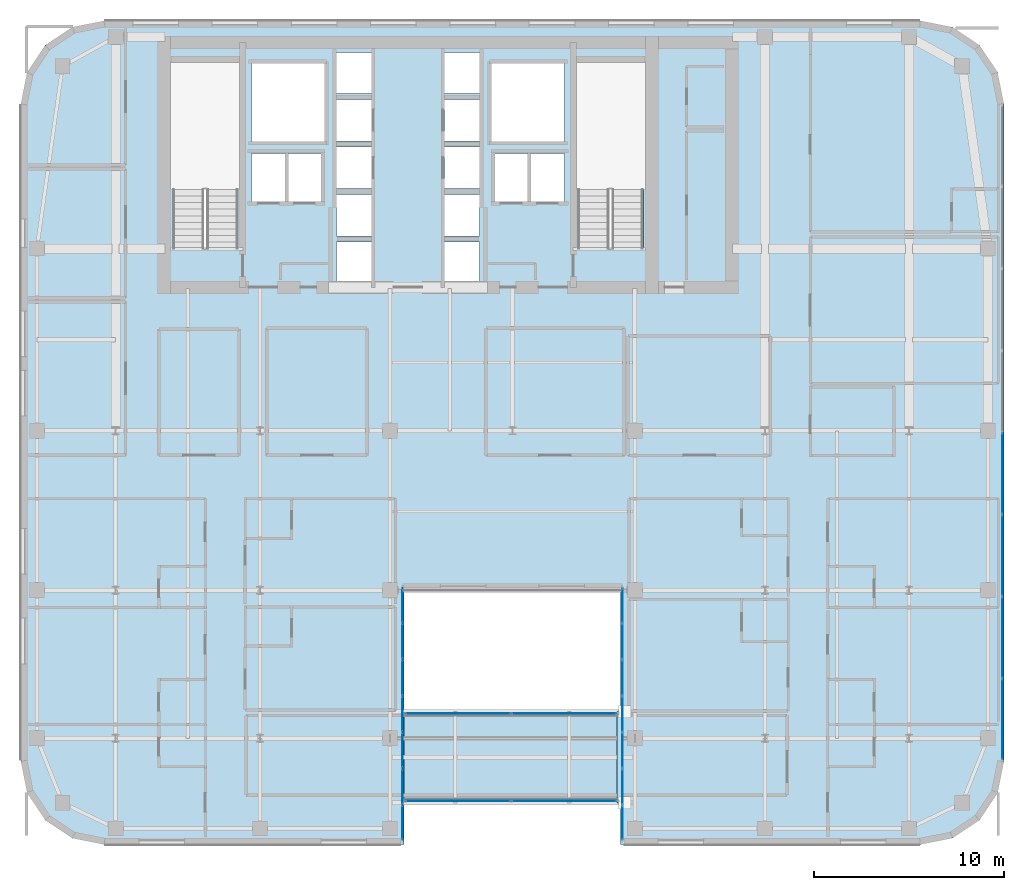
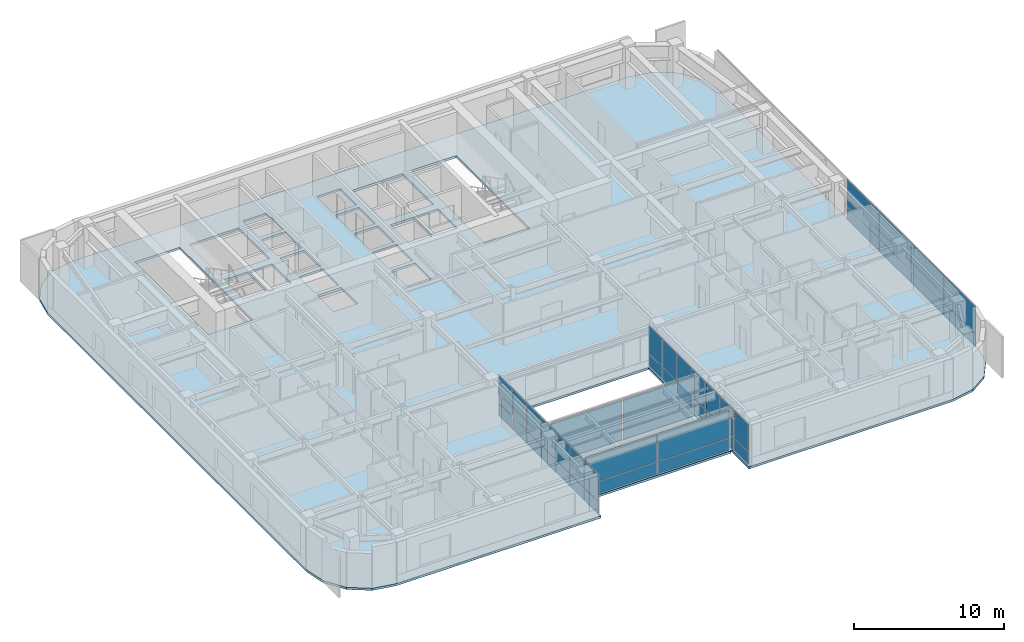
# One storey, part 13 of 26: 45 plates, 2 slabs, 5 elements without a shape of their own.
"""IFC4 building model written with IfcOpenShell, lengths in metres."""

from ifc_helpers import new_model, si_unit, direction, frame, origin, origin_2d, place, context, subcontext, project, spatial, polyline, rectangle, outline, extrude, source, transform, mapped, material, layer, layer_set, type_object, type_shapes, element, aggregate, save


model = new_model("IFC4")

# Units and contexts
model_context = context("Model", 3, precision=1e-05, world=origin(), true_north=direction((0.0, 1.0)))
body_context = subcontext(model_context, "Body", "Model", "MODEL_VIEW")
ifc_project = project(units=[si_unit("LENGTHUNIT", "METRE"), si_unit("AREAUNIT", "SQUARE_METRE"), si_unit("VOLUMEUNIT", "CUBIC_METRE"), si_unit("PLANEANGLEUNIT", "RADIAN"), si_unit("MASSUNIT", "GRAM", prefix="KILO")], contexts=[model_context])

# Site, building, storey
site_placement = place(None, origin())
site = spatial("IfcSite", under=ifc_project, at=site_placement, CompositionType="ELEMENT")
building_placement = place(site_placement, origin())
building = spatial("IfcBuilding", under=site, at=building_placement, Name="Tolvann Quenvar Hotel", CompositionType="ELEMENT")
storey_placement = place(building_placement, frame((0.0, 0.0, 168.35009765625)))
storey = spatial("IfcBuildingStorey", under=building, at=storey_placement, Name="L44", CompositionType="ELEMENT", Elevation=168.35009765625)

# Slabs
ifc_material_1 = material(Name="Concrete N40 (40 MPa)", Category="concrete")
ifc_layer_1 = layer(ifc_material_1, 0.179931640625)
ifc_layer_set_1 = layer_set([ifc_layer_1], Name="Concrete N40 (40 MPa)")
slab_type = type_object("IfcSlabType", Name="SLAB_TWR_180", PredefinedType="FLOOR", material=ifc_layer_set_1)
slab_1_placement = place(storey_placement, frame((0.0, 0.0, -0.18017578125)))
element("IfcSlab", 1, at=slab_1_placement, inside=storey, type_object=slab_type, Name="Level L44 Structural Floor Slab", PredefinedType="FLOOR", context=body_context, shape_type="SweptSolid", body=[
    extrude(outline(polyline([(2.60009765625, 7.0), (2.934814453125, 5.316162109375), (3.888671875, 3.888671875), (5.316162109375, 2.934814453125), (7.0, 2.60009765625), (22.800048828125, 2.60009765625), (22.800048828125, 16.0), (34.199951171875, 16.0), (34.199951171875, 2.60009765625), (50.0, 2.60009765625), (51.683837890625, 2.934814453125), (53.111328125, 3.888671875), (54.065185546875, 5.316162109375), (54.39990234375, 7.0), (54.39990234375, 41.60009765625), (54.065185546875, 43.28369140625), (53.111328125, 44.711181640625), (51.683837890625, 45.6650390625), (50.0, 46.0), (7.0, 46.0), (5.316162109375, 45.6650390625), (3.888671875, 44.711181640625), (2.934814453125, 43.28369140625), (2.60009765625, 41.60009765625), (2.60009765625, 7.0)]), holes=[polyline([(31.949951171875, 34.02490234375), (31.949951171875, 43.800048828125), (35.39990234375, 43.800048828125), (35.39990234375, 34.02490234375), (31.949951171875, 34.02490234375)]), polyline([(29.449951171875, 39.02001953125), (31.25, 39.02001953125), (31.25, 36.47998046875), (29.449951171875, 36.47998046875), (29.449951171875, 39.02001953125)]), polyline([(31.25, 43.75), (31.25, 39.64990234375), (27.39990234375, 39.64990234375), (27.39990234375, 43.75), (31.25, 43.75)]), polyline([(27.574951171875, 39.02001953125), (29.324951171875, 39.02001953125), (29.324951171875, 36.47998046875), (27.574951171875, 36.47998046875), (27.574951171875, 39.02001953125)]), polyline([(26.77001953125, 44.340087890625), (26.77001953125, 42.159912109375), (24.929931640625, 42.159912109375), (24.929931640625, 44.340087890625), (26.77001953125, 44.340087890625)]), polyline([(24.929931640625, 41.840087890625), (26.77001953125, 41.840087890625), (26.77001953125, 39.659912109375), (24.929931640625, 39.659912109375), (24.929931640625, 41.840087890625)]), polyline([(24.929931640625, 39.340087890625), (26.77001953125, 39.340087890625), (26.77001953125, 37.159912109375), (24.929931640625, 37.159912109375), (24.929931640625, 39.340087890625)]), polyline([(24.929931640625, 36.840087890625), (26.77001953125, 36.840087890625), (26.77001953125, 34.659912109375), (24.929931640625, 34.659912109375), (24.929931640625, 36.840087890625)]), polyline([(24.929931640625, 34.340087890625), (26.77001953125, 34.340087890625), (26.77001953125, 32.159912109375), (24.929931640625, 32.159912109375), (24.929931640625, 34.340087890625)]), polyline([(21.070068359375, 44.340087890625), (21.070068359375, 42.159912109375), (19.22998046875, 42.159912109375), (19.22998046875, 44.340087890625), (21.070068359375, 44.340087890625)]), polyline([(19.22998046875, 41.840087890625), (21.070068359375, 41.840087890625), (21.070068359375, 39.659912109375), (19.22998046875, 39.659912109375), (19.22998046875, 41.840087890625)]), polyline([(19.22998046875, 39.340087890625), (21.070068359375, 39.340087890625), (21.070068359375, 37.159912109375), (19.22998046875, 37.159912109375), (19.22998046875, 39.340087890625)]), polyline([(19.22998046875, 36.840087890625), (21.070068359375, 36.840087890625), (21.070068359375, 34.659912109375), (19.22998046875, 34.659912109375), (19.22998046875, 36.840087890625)]), polyline([(19.22998046875, 34.340087890625), (21.070068359375, 34.340087890625), (21.070068359375, 32.159912109375), (19.22998046875, 32.159912109375), (19.22998046875, 34.340087890625)]), polyline([(18.60009765625, 43.75), (18.60009765625, 39.64990234375), (14.75, 39.64990234375), (14.75, 43.75), (18.60009765625, 43.75)]), polyline([(16.675048828125, 39.02001953125), (18.425048828125, 39.02001953125), (18.425048828125, 36.47998046875), (16.675048828125, 36.47998046875), (16.675048828125, 39.02001953125)]), polyline([(14.75, 39.02001953125), (16.550048828125, 39.02001953125), (16.550048828125, 36.47998046875), (14.75, 36.47998046875), (14.75, 39.02001953125)]), polyline([(10.60009765625, 34.02490234375), (10.60009765625, 43.800048828125), (14.050048828125, 43.800048828125), (14.050048828125, 34.02490234375), (10.60009765625, 34.02490234375)])]), origin(), (0.0, 0.0, 1.0), 0.18017578125),
])
slab_2_placement = place(storey_placement, frame((0.0, 0.0, -0.18017578125)))
element("IfcSlab", 2, at=slab_2_placement, inside=storey, type_object=slab_type, Name="Level L44 Skybridge Deck Slab", PredefinedType="FLOOR", context=body_context, shape_type="SweptSolid", body=[
    extrude(outline(polyline([(22.800048828125, 4.800048828125), (34.080078125, 4.800048828125), (34.080078125, 9.60009765625), (22.800048828125, 9.60009765625), (22.800048828125, 4.800048828125)])), origin(), (0.0, 0.0, 1.0), 0.18017578125),
])

# Plate
ifc_material_2 = material(Name="Steel Grade 350", Category="steel")
ifc_layer_2 = layer(ifc_material_2, 0.02490234375)
ifc_layer_set_2 = layer_set([ifc_layer_2], Name="Steel Grade 350")
plate_type_1 = type_object("IfcPlateType", Name="PLT_MJ_4800", PredefinedType="SHEET", material=ifc_layer_set_2)
shared_shape_1 = source(origin(), body_context, "Body", "SweptSolid", [
    extrude(rectangle(XDim=0.239990234375, YDim=4.800048828125, at=origin_2d()), origin(), (0.0, 0.0, 1.0), 0.02490234375),
])
type_shapes(plate_type_1, [shared_shape_1])
plate_1_placement = place(storey_placement, frame((34.139892578125, 7.199951171875, -0.025146484375), z_axis=(0.0, 0.0, 1.0), x_axis=(1.0, 0.0, 0.0)))
element("IfcPlate", 3, at=plate_1_placement, inside=storey, type_object=plate_type_1, Name="Skybridge Seismic Movement Joint Cover Plate (L44)", PredefinedType="SHEET", context=body_context, shape_type="MappedRepresentation", body=[
    mapped(shared_shape_1, transform((0.0, 0.0, 0.0), x_axis=(1.0, 0.0, 0.0), y_axis=(0.0, 1.0, 0.0), z_axis=(0.0, 0.0, 1.0), scale=1.0)),
])

# Curtain wall, plates
ifc_material_3 = material(Name="Thermally broken anodised architectural aluminium 6063-T6 and laminated low-E glass", Category="aluminium")
ifc_layer_3 = layer(ifc_material_3, 0.179931640625)
ifc_layer_set_3 = layer_set([ifc_layer_3], Name="Thermally broken anodised architectural aluminium 6063-T6 and laminated low-E glass")
curtain_wall_type_1 = type_object("IfcCurtainWallType", Name="CW_SYS_SLOT_03", PredefinedType="USERDEFINED", material=ifc_layer_set_3)
curtain_wall_1_placement = place(storey_placement, origin())
curtain_wall_1 = element("IfcCurtainWall", 4, at=curtain_wall_1_placement, inside=storey, type_object=curtain_wall_type_1, Name="Curtain Wall CW-SLOT-03 (CWR-L44-E05)", ObjectType="UNITISED CURTAIN WALL", PredefinedType="USERDEFINED")
ifc_material_4 = material(Name="Low-iron laminated double glazing with solar-control coating", Category="glass")
ifc_layer_4 = layer(ifc_material_4, 0.028076171875)
ifc_layer_set_4 = layer_set([ifc_layer_4], Name="Low-iron laminated double glazing with solar-control coating")
plate_type_2 = type_object("IfcPlateType", Name="CW_PAN_VISION_28", PredefinedType="CURTAIN_PANEL", material=ifc_layer_set_4)
shared_shape_2 = source(origin(), body_context, "Body", "SweptSolid", [
    extrude(rectangle(XDim=1.809326171875, YDim=0.028076171875, at=origin_2d()), origin(), (0.0, 0.0, 1.0), 0.9599609375),
])
plate_2_placement = place(storey_placement, frame((22.7099609375, 3.749755859375, 0.059814453125), z_axis=(0.0, 0.0, 1.0), x_axis=(0.0, 1.0, 0.0)))
plate_2 = element("IfcPlate", 5, at=plate_2_placement, type_object=plate_type_2, Name="CW-SLOT-03 panel 1.1", PredefinedType="CURTAIN_PANEL", context=body_context, shape_type="MappedRepresentation", body=[
    mapped(shared_shape_2, transform((0.0, 0.0, 0.0), x_axis=(1.0, 0.0, 0.0), y_axis=(0.0, 1.0, 0.0), z_axis=(0.0, 0.0, 1.0), scale=1.0)),
])
plate_3_placement = place(storey_placement, frame((22.7099609375, 15.200439453125, 0.059814453125), z_axis=(0.0, 0.0, 1.0), x_axis=(0.0, 1.0, 0.0)))
plate_3 = element("IfcPlate", 6, at=plate_3_placement, type_object=plate_type_2, Name="CW-SLOT-03 panel 7.1", PredefinedType="CURTAIN_PANEL", context=body_context, shape_type="MappedRepresentation", body=[
    mapped(shared_shape_2, transform((0.0, 0.0, 0.0), x_axis=(1.0, 0.0, 0.0), y_axis=(0.0, 1.0, 0.0), z_axis=(0.0, 0.0, 1.0), scale=1.0)),
])

curtain_wall_2_placement = place(storey_placement, origin())
curtain_wall_2 = element("IfcCurtainWall", 7, at=curtain_wall_2_placement, inside=storey, type_object=curtain_wall_type_1, Name="Curtain Wall CW-SLOT-03 (CWR-L44-E07)", ObjectType="UNITISED CURTAIN WALL", PredefinedType="USERDEFINED")
plate_4_placement = place(storey_placement, frame((34.2900390625, 15.200439453125, 0.059814453125), z_axis=(0.0, 0.0, 1.0), x_axis=(0.0, -1.0, 0.0)))
plate_4 = element("IfcPlate", 8, at=plate_4_placement, type_object=plate_type_2, Name="CW-SLOT-03 panel 1.1", PredefinedType="CURTAIN_PANEL", context=body_context, shape_type="MappedRepresentation", body=[
    mapped(shared_shape_2, transform((0.0, 0.0, 0.0), x_axis=(1.0, 0.0, 0.0), y_axis=(0.0, 1.0, 0.0), z_axis=(0.0, 0.0, 1.0), scale=1.0)),
])
plate_5_placement = place(storey_placement, frame((34.2900390625, 3.749755859375, 0.059814453125), z_axis=(0.0, 0.0, 1.0), x_axis=(0.0, -1.0, 0.0)))
plate_5 = element("IfcPlate", 9, at=plate_5_placement, type_object=plate_type_2, Name="CW-SLOT-03 panel 7.1", PredefinedType="CURTAIN_PANEL", context=body_context, shape_type="MappedRepresentation", body=[
    mapped(shared_shape_2, transform((0.0, 0.0, 0.0), x_axis=(1.0, 0.0, 0.0), y_axis=(0.0, 1.0, 0.0), z_axis=(0.0, 0.0, 1.0), scale=1.0)),
])

# Plate
shared_shape_3 = source(origin(), body_context, "Body", "SweptSolid", [
    extrude(rectangle(XDim=1.809326171875, YDim=0.028076171875, at=origin_2d()), origin(), (0.0, 0.0, 1.0), 2.22998046875),
])
plate_6_placement = place(storey_placement, frame((22.7099609375, 3.749755859375, 1.079833984375), z_axis=(0.0, 0.0, 1.0), x_axis=(0.0, 1.0, 0.0)))
plate_6 = element("IfcPlate", 10, at=plate_6_placement, type_object=plate_type_2, Name="CW-SLOT-03 panel 1.2", PredefinedType="CURTAIN_PANEL", context=body_context, shape_type="MappedRepresentation", body=[
    mapped(shared_shape_3, transform((0.0, 0.0, 0.0), x_axis=(1.0, 0.0, 0.0), y_axis=(0.0, 1.0, 0.0), z_axis=(0.0, 0.0, 1.0), scale=1.0)),
])

plate_7_placement = place(storey_placement, frame((22.7099609375, 15.200439453125, 1.079833984375), z_axis=(0.0, 0.0, 1.0), x_axis=(0.0, 1.0, 0.0)))
plate_7 = element("IfcPlate", 11, at=plate_7_placement, type_object=plate_type_2, Name="CW-SLOT-03 panel 7.2", PredefinedType="CURTAIN_PANEL", context=body_context, shape_type="MappedRepresentation", body=[
    mapped(shared_shape_3, transform((0.0, 0.0, 0.0), x_axis=(1.0, 0.0, 0.0), y_axis=(0.0, 1.0, 0.0), z_axis=(0.0, 0.0, 1.0), scale=1.0)),
])

plate_8_placement = place(storey_placement, frame((34.2900390625, 15.200439453125, 1.079833984375), z_axis=(0.0, 0.0, 1.0), x_axis=(0.0, -1.0, 0.0)))
plate_8 = element("IfcPlate", 12, at=plate_8_placement, type_object=plate_type_2, Name="CW-SLOT-03 panel 1.2", PredefinedType="CURTAIN_PANEL", context=body_context, shape_type="MappedRepresentation", body=[
    mapped(shared_shape_3, transform((0.0, 0.0, 0.0), x_axis=(1.0, 0.0, 0.0), y_axis=(0.0, 1.0, 0.0), z_axis=(0.0, 0.0, 1.0), scale=1.0)),
])

plate_9_placement = place(storey_placement, frame((34.2900390625, 3.749755859375, 1.079833984375), z_axis=(0.0, 0.0, 1.0), x_axis=(0.0, -1.0, 0.0)))
plate_9 = element("IfcPlate", 13, at=plate_9_placement, type_object=plate_type_2, Name="CW-SLOT-03 panel 7.2", PredefinedType="CURTAIN_PANEL", context=body_context, shape_type="MappedRepresentation", body=[
    mapped(shared_shape_3, transform((0.0, 0.0, 0.0), x_axis=(1.0, 0.0, 0.0), y_axis=(0.0, 1.0, 0.0), z_axis=(0.0, 0.0, 1.0), scale=1.0)),
])

shared_shape_4 = source(origin(), body_context, "Body", "SweptSolid", [
    extrude(rectangle(XDim=1.84423828125, YDim=0.028076171875, at=origin_2d()), origin(), (0.0, 0.0, 1.0), 0.9599609375),
])
plate_10_placement = place(storey_placement, frame((22.7099609375, 5.646484375, 0.059814453125), z_axis=(0.0, 0.0, 1.0), x_axis=(0.0, 1.0, 0.0)))
plate_10 = element("IfcPlate", 14, at=plate_10_placement, type_object=plate_type_2, Name="CW-SLOT-03 panel 2.1", PredefinedType="CURTAIN_PANEL", context=body_context, shape_type="MappedRepresentation", body=[
    mapped(shared_shape_4, transform((0.0, 0.0, 0.0), x_axis=(1.0, 0.0, 0.0), y_axis=(0.0, 1.0, 0.0), z_axis=(0.0, 0.0, 1.0), scale=1.0)),
])

plate_11_placement = place(storey_placement, frame((22.7099609375, 7.560791015625, 0.059814453125), z_axis=(0.0, 0.0, 1.0), x_axis=(0.0, 1.0, 0.0)))
plate_11 = element("IfcPlate", 15, at=plate_11_placement, type_object=plate_type_2, Name="CW-SLOT-03 panel 3.1", PredefinedType="CURTAIN_PANEL", context=body_context, shape_type="MappedRepresentation", body=[
    mapped(shared_shape_4, transform((0.0, 0.0, 0.0), x_axis=(1.0, 0.0, 0.0), y_axis=(0.0, 1.0, 0.0), z_axis=(0.0, 0.0, 1.0), scale=1.0)),
])

plate_12_placement = place(storey_placement, frame((22.7099609375, 9.47509765625, 0.059814453125), z_axis=(0.0, 0.0, 1.0), x_axis=(0.0, 1.0, 0.0)))
plate_12 = element("IfcPlate", 16, at=plate_12_placement, type_object=plate_type_2, Name="CW-SLOT-03 panel 4.1", PredefinedType="CURTAIN_PANEL", context=body_context, shape_type="MappedRepresentation", body=[
    mapped(shared_shape_4, transform((0.0, 0.0, 0.0), x_axis=(1.0, 0.0, 0.0), y_axis=(0.0, 1.0, 0.0), z_axis=(0.0, 0.0, 1.0), scale=1.0)),
])

plate_13_placement = place(storey_placement, frame((22.7099609375, 11.389404296875, 0.059814453125), z_axis=(0.0, 0.0, 1.0), x_axis=(0.0, 1.0, 0.0)))
plate_13 = element("IfcPlate", 17, at=plate_13_placement, type_object=plate_type_2, Name="CW-SLOT-03 panel 5.1", PredefinedType="CURTAIN_PANEL", context=body_context, shape_type="MappedRepresentation", body=[
    mapped(shared_shape_4, transform((0.0, 0.0, 0.0), x_axis=(1.0, 0.0, 0.0), y_axis=(0.0, 1.0, 0.0), z_axis=(0.0, 0.0, 1.0), scale=1.0)),
])

plate_14_placement = place(storey_placement, frame((22.7099609375, 13.303466796875, 0.059814453125), z_axis=(0.0, 0.0, 1.0), x_axis=(0.0, 1.0, 0.0)))
plate_14 = element("IfcPlate", 18, at=plate_14_placement, type_object=plate_type_2, Name="CW-SLOT-03 panel 6.1", PredefinedType="CURTAIN_PANEL", context=body_context, shape_type="MappedRepresentation", body=[
    mapped(shared_shape_4, transform((0.0, 0.0, 0.0), x_axis=(1.0, 0.0, 0.0), y_axis=(0.0, 1.0, 0.0), z_axis=(0.0, 0.0, 1.0), scale=1.0)),
])

plate_15_placement = place(storey_placement, frame((34.2900390625, 13.303466796875, 0.059814453125), z_axis=(0.0, 0.0, 1.0), x_axis=(0.0, -1.0, 0.0)))
plate_15 = element("IfcPlate", 19, at=plate_15_placement, type_object=plate_type_2, Name="CW-SLOT-03 panel 2.1", PredefinedType="CURTAIN_PANEL", context=body_context, shape_type="MappedRepresentation", body=[
    mapped(shared_shape_4, transform((0.0, 0.0, 0.0), x_axis=(1.0, 0.0, 0.0), y_axis=(0.0, 1.0, 0.0), z_axis=(0.0, 0.0, 1.0), scale=1.0)),
])

plate_16_placement = place(storey_placement, frame((34.2900390625, 11.389404296875, 0.059814453125), z_axis=(0.0, 0.0, 1.0), x_axis=(0.0, -1.0, 0.0)))
plate_16 = element("IfcPlate", 20, at=plate_16_placement, type_object=plate_type_2, Name="CW-SLOT-03 panel 3.1", PredefinedType="CURTAIN_PANEL", context=body_context, shape_type="MappedRepresentation", body=[
    mapped(shared_shape_4, transform((0.0, 0.0, 0.0), x_axis=(1.0, 0.0, 0.0), y_axis=(0.0, 1.0, 0.0), z_axis=(0.0, 0.0, 1.0), scale=1.0)),
])

plate_17_placement = place(storey_placement, frame((34.2900390625, 9.47509765625, 0.059814453125), z_axis=(0.0, 0.0, 1.0), x_axis=(0.0, -1.0, 0.0)))
plate_17 = element("IfcPlate", 21, at=plate_17_placement, type_object=plate_type_2, Name="CW-SLOT-03 panel 4.1", PredefinedType="CURTAIN_PANEL", context=body_context, shape_type="MappedRepresentation", body=[
    mapped(shared_shape_4, transform((0.0, 0.0, 0.0), x_axis=(1.0, 0.0, 0.0), y_axis=(0.0, 1.0, 0.0), z_axis=(0.0, 0.0, 1.0), scale=1.0)),
])

plate_18_placement = place(storey_placement, frame((34.2900390625, 7.560791015625, 0.059814453125), z_axis=(0.0, 0.0, 1.0), x_axis=(0.0, -1.0, 0.0)))
plate_18 = element("IfcPlate", 22, at=plate_18_placement, type_object=plate_type_2, Name="CW-SLOT-03 panel 5.1", PredefinedType="CURTAIN_PANEL", context=body_context, shape_type="MappedRepresentation", body=[
    mapped(shared_shape_4, transform((0.0, 0.0, 0.0), x_axis=(1.0, 0.0, 0.0), y_axis=(0.0, 1.0, 0.0), z_axis=(0.0, 0.0, 1.0), scale=1.0)),
])

plate_19_placement = place(storey_placement, frame((34.2900390625, 5.646484375, 0.059814453125), z_axis=(0.0, 0.0, 1.0), x_axis=(0.0, -1.0, 0.0)))
plate_19 = element("IfcPlate", 23, at=plate_19_placement, type_object=plate_type_2, Name="CW-SLOT-03 panel 6.1", PredefinedType="CURTAIN_PANEL", context=body_context, shape_type="MappedRepresentation", body=[
    mapped(shared_shape_4, transform((0.0, 0.0, 0.0), x_axis=(1.0, 0.0, 0.0), y_axis=(0.0, 1.0, 0.0), z_axis=(0.0, 0.0, 1.0), scale=1.0)),
])

shared_shape_5 = source(origin(), body_context, "Body", "SweptSolid", [
    extrude(rectangle(XDim=1.84423828125, YDim=0.028076171875, at=origin_2d()), origin(), (0.0, 0.0, 1.0), 2.22998046875),
])
plate_20_placement = place(storey_placement, frame((22.7099609375, 5.646484375, 1.079833984375), z_axis=(0.0, 0.0, 1.0), x_axis=(0.0, 1.0, 0.0)))
plate_20 = element("IfcPlate", 24, at=plate_20_placement, type_object=plate_type_2, Name="CW-SLOT-03 panel 2.2", PredefinedType="CURTAIN_PANEL", context=body_context, shape_type="MappedRepresentation", body=[
    mapped(shared_shape_5, transform((0.0, 0.0, 0.0), x_axis=(1.0, 0.0, 0.0), y_axis=(0.0, 1.0, 0.0), z_axis=(0.0, 0.0, 1.0), scale=1.0)),
])

plate_21_placement = place(storey_placement, frame((22.7099609375, 7.560791015625, 1.079833984375), z_axis=(0.0, 0.0, 1.0), x_axis=(0.0, 1.0, 0.0)))
plate_21 = element("IfcPlate", 25, at=plate_21_placement, type_object=plate_type_2, Name="CW-SLOT-03 panel 3.2", PredefinedType="CURTAIN_PANEL", context=body_context, shape_type="MappedRepresentation", body=[
    mapped(shared_shape_5, transform((0.0, 0.0, 0.0), x_axis=(1.0, 0.0, 0.0), y_axis=(0.0, 1.0, 0.0), z_axis=(0.0, 0.0, 1.0), scale=1.0)),
])

plate_22_placement = place(storey_placement, frame((22.7099609375, 9.47509765625, 1.079833984375), z_axis=(0.0, 0.0, 1.0), x_axis=(0.0, 1.0, 0.0)))
plate_22 = element("IfcPlate", 26, at=plate_22_placement, type_object=plate_type_2, Name="CW-SLOT-03 panel 4.2", PredefinedType="CURTAIN_PANEL", context=body_context, shape_type="MappedRepresentation", body=[
    mapped(shared_shape_5, transform((0.0, 0.0, 0.0), x_axis=(1.0, 0.0, 0.0), y_axis=(0.0, 1.0, 0.0), z_axis=(0.0, 0.0, 1.0), scale=1.0)),
])

plate_23_placement = place(storey_placement, frame((22.7099609375, 11.389404296875, 1.079833984375), z_axis=(0.0, 0.0, 1.0), x_axis=(0.0, 1.0, 0.0)))
plate_23 = element("IfcPlate", 27, at=plate_23_placement, type_object=plate_type_2, Name="CW-SLOT-03 panel 5.2", PredefinedType="CURTAIN_PANEL", context=body_context, shape_type="MappedRepresentation", body=[
    mapped(shared_shape_5, transform((0.0, 0.0, 0.0), x_axis=(1.0, 0.0, 0.0), y_axis=(0.0, 1.0, 0.0), z_axis=(0.0, 0.0, 1.0), scale=1.0)),
])

plate_24_placement = place(storey_placement, frame((22.7099609375, 13.303466796875, 1.079833984375), z_axis=(0.0, 0.0, 1.0), x_axis=(0.0, 1.0, 0.0)))
plate_24 = element("IfcPlate", 28, at=plate_24_placement, type_object=plate_type_2, Name="CW-SLOT-03 panel 6.2", PredefinedType="CURTAIN_PANEL", context=body_context, shape_type="MappedRepresentation", body=[
    mapped(shared_shape_5, transform((0.0, 0.0, 0.0), x_axis=(1.0, 0.0, 0.0), y_axis=(0.0, 1.0, 0.0), z_axis=(0.0, 0.0, 1.0), scale=1.0)),
])

aggregate(curtain_wall_1, [plate_2, plate_6, plate_10, plate_20, plate_11, plate_21, plate_12, plate_22, plate_13, plate_23, plate_14, plate_24, plate_3, plate_7])

plate_25_placement = place(storey_placement, frame((34.2900390625, 13.303466796875, 1.079833984375), z_axis=(0.0, 0.0, 1.0), x_axis=(0.0, -1.0, 0.0)))
plate_25 = element("IfcPlate", 29, at=plate_25_placement, type_object=plate_type_2, Name="CW-SLOT-03 panel 2.2", PredefinedType="CURTAIN_PANEL", context=body_context, shape_type="MappedRepresentation", body=[
    mapped(shared_shape_5, transform((0.0, 0.0, 0.0), x_axis=(1.0, 0.0, 0.0), y_axis=(0.0, 1.0, 0.0), z_axis=(0.0, 0.0, 1.0), scale=1.0)),
])

plate_26_placement = place(storey_placement, frame((34.2900390625, 11.389404296875, 1.079833984375), z_axis=(0.0, 0.0, 1.0), x_axis=(0.0, -1.0, 0.0)))
plate_26 = element("IfcPlate", 30, at=plate_26_placement, type_object=plate_type_2, Name="CW-SLOT-03 panel 3.2", PredefinedType="CURTAIN_PANEL", context=body_context, shape_type="MappedRepresentation", body=[
    mapped(shared_shape_5, transform((0.0, 0.0, 0.0), x_axis=(1.0, 0.0, 0.0), y_axis=(0.0, 1.0, 0.0), z_axis=(0.0, 0.0, 1.0), scale=1.0)),
])

plate_27_placement = place(storey_placement, frame((34.2900390625, 9.47509765625, 1.079833984375), z_axis=(0.0, 0.0, 1.0), x_axis=(0.0, -1.0, 0.0)))
plate_27 = element("IfcPlate", 31, at=plate_27_placement, type_object=plate_type_2, Name="CW-SLOT-03 panel 4.2", PredefinedType="CURTAIN_PANEL", context=body_context, shape_type="MappedRepresentation", body=[
    mapped(shared_shape_5, transform((0.0, 0.0, 0.0), x_axis=(1.0, 0.0, 0.0), y_axis=(0.0, 1.0, 0.0), z_axis=(0.0, 0.0, 1.0), scale=1.0)),
])

plate_28_placement = place(storey_placement, frame((34.2900390625, 7.560791015625, 1.079833984375), z_axis=(0.0, 0.0, 1.0), x_axis=(0.0, -1.0, 0.0)))
plate_28 = element("IfcPlate", 32, at=plate_28_placement, type_object=plate_type_2, Name="CW-SLOT-03 panel 5.2", PredefinedType="CURTAIN_PANEL", context=body_context, shape_type="MappedRepresentation", body=[
    mapped(shared_shape_5, transform((0.0, 0.0, 0.0), x_axis=(1.0, 0.0, 0.0), y_axis=(0.0, 1.0, 0.0), z_axis=(0.0, 0.0, 1.0), scale=1.0)),
])

plate_29_placement = place(storey_placement, frame((34.2900390625, 5.646484375, 1.079833984375), z_axis=(0.0, 0.0, 1.0), x_axis=(0.0, -1.0, 0.0)))
plate_29 = element("IfcPlate", 33, at=plate_29_placement, type_object=plate_type_2, Name="CW-SLOT-03 panel 6.2", PredefinedType="CURTAIN_PANEL", context=body_context, shape_type="MappedRepresentation", body=[
    mapped(shared_shape_5, transform((0.0, 0.0, 0.0), x_axis=(1.0, 0.0, 0.0), y_axis=(0.0, 1.0, 0.0), z_axis=(0.0, 0.0, 1.0), scale=1.0)),
])

aggregate(curtain_wall_2, [plate_4, plate_8, plate_15, plate_25, plate_16, plate_26, plate_17, plate_27, plate_18, plate_28, plate_19, plate_29, plate_5, plate_9])

# Curtain wall, plates
ifc_layer_5 = layer(ifc_material_3, 0.179931640625)
ifc_layer_set_5 = layer_set([ifc_layer_5], Name="Thermally broken anodised architectural aluminium 6063-T6 and laminated low-E glass")
curtain_wall_type_2 = type_object("IfcCurtainWallType", Name="CW_SYS_BAND_04", PredefinedType="USERDEFINED", material=ifc_layer_set_5)
curtain_wall_3_placement = place(storey_placement, origin())
curtain_wall_3 = element("IfcCurtainWall", 34, at=curtain_wall_3_placement, inside=storey, type_object=curtain_wall_type_2, Name="Curtain Wall CW-BAND-04 (CWR-L44-E13)", ObjectType="UNITISED CURTAIN WALL", PredefinedType="USERDEFINED")
shared_shape_6 = source(origin(), body_context, "Body", "SweptSolid", [
    extrude(rectangle(XDim=4.2158203125, YDim=0.028076171875, at=origin_2d()), origin(), (0.0, 0.0, 1.0), 0.9599609375),
])
plate_30_placement = place(storey_placement, frame((54.31005859375, 9.195068359375, 0.059814453125), z_axis=(0.0, 0.0, 1.0), x_axis=(0.0, 1.0, 0.0)))
plate_30 = element("IfcPlate", 35, at=plate_30_placement, type_object=plate_type_2, Name="CW-BAND-04 panel 1.1", PredefinedType="CURTAIN_PANEL", context=body_context, shape_type="MappedRepresentation", body=[
    mapped(shared_shape_6, transform((0.0, 0.0, 0.0), x_axis=(1.0, 0.0, 0.0), y_axis=(0.0, 1.0, 0.0), z_axis=(0.0, 0.0, 1.0), scale=1.0)),
])
shared_shape_7 = source(origin(), body_context, "Body", "SweptSolid", [
    extrude(rectangle(XDim=4.2158203125, YDim=0.028076171875, at=origin_2d()), origin(), (0.0, 0.0, 1.0), 2.22998046875),
])
plate_31_placement = place(storey_placement, frame((54.31005859375, 9.195068359375, 1.079833984375), z_axis=(0.0, 0.0, 1.0), x_axis=(0.0, 1.0, 0.0)))
plate_31 = element("IfcPlate", 36, at=plate_31_placement, type_object=plate_type_2, Name="CW-BAND-04 panel 1.2", PredefinedType="CURTAIN_PANEL", context=body_context, shape_type="MappedRepresentation", body=[
    mapped(shared_shape_7, transform((0.0, 0.0, 0.0), x_axis=(1.0, 0.0, 0.0), y_axis=(0.0, 1.0, 0.0), z_axis=(0.0, 0.0, 1.0), scale=1.0)),
])
shared_shape_8 = source(origin(), body_context, "Body", "SweptSolid", [
    extrude(rectangle(XDim=4.250732421875, YDim=0.028076171875, at=origin_2d()), origin(), (0.0, 0.0, 1.0), 0.9599609375),
])
plate_32_placement = place(storey_placement, frame((54.31005859375, 13.498291015625, 0.059814453125), z_axis=(0.0, 0.0, 1.0), x_axis=(0.0, 1.0, 0.0)))
plate_32 = element("IfcPlate", 37, at=plate_32_placement, type_object=plate_type_2, Name="CW-BAND-04 panel 2.1", PredefinedType="CURTAIN_PANEL", context=body_context, shape_type="MappedRepresentation", body=[
    mapped(shared_shape_8, transform((0.0, 0.0, 0.0), x_axis=(1.0, 0.0, 0.0), y_axis=(0.0, 1.0, 0.0), z_axis=(0.0, 0.0, 1.0), scale=1.0)),
])
plate_33_placement = place(storey_placement, frame((54.31005859375, 17.81884765625, 0.059814453125), z_axis=(0.0, 0.0, 1.0), x_axis=(0.0, 1.0, 0.0)))
plate_33 = element("IfcPlate", 38, at=plate_33_placement, type_object=plate_type_2, Name="CW-BAND-04 panel 3.1", PredefinedType="CURTAIN_PANEL", context=body_context, shape_type="MappedRepresentation", body=[
    mapped(shared_shape_8, transform((0.0, 0.0, 0.0), x_axis=(1.0, 0.0, 0.0), y_axis=(0.0, 1.0, 0.0), z_axis=(0.0, 0.0, 1.0), scale=1.0)),
])
plate_34_placement = place(storey_placement, frame((54.31005859375, 22.1396484375, 0.059814453125), z_axis=(0.0, 0.0, 1.0), x_axis=(0.0, 1.0, 0.0)))
plate_34 = element("IfcPlate", 39, at=plate_34_placement, type_object=plate_type_2, Name="CW-BAND-04 panel 4.1", PredefinedType="CURTAIN_PANEL", context=body_context, shape_type="MappedRepresentation", body=[
    mapped(shared_shape_8, transform((0.0, 0.0, 0.0), x_axis=(1.0, 0.0, 0.0), y_axis=(0.0, 1.0, 0.0), z_axis=(0.0, 0.0, 1.0), scale=1.0)),
])
shared_shape_9 = source(origin(), body_context, "Body", "SweptSolid", [
    extrude(rectangle(XDim=4.250732421875, YDim=0.028076171875, at=origin_2d()), origin(), (0.0, 0.0, 1.0), 2.22998046875),
])
plate_35_placement = place(storey_placement, frame((54.31005859375, 13.498291015625, 1.079833984375), z_axis=(0.0, 0.0, 1.0), x_axis=(0.0, 1.0, 0.0)))
plate_35 = element("IfcPlate", 40, at=plate_35_placement, type_object=plate_type_2, Name="CW-BAND-04 panel 2.2", PredefinedType="CURTAIN_PANEL", context=body_context, shape_type="MappedRepresentation", body=[
    mapped(shared_shape_9, transform((0.0, 0.0, 0.0), x_axis=(1.0, 0.0, 0.0), y_axis=(0.0, 1.0, 0.0), z_axis=(0.0, 0.0, 1.0), scale=1.0)),
])
plate_36_placement = place(storey_placement, frame((54.31005859375, 17.81884765625, 1.079833984375), z_axis=(0.0, 0.0, 1.0), x_axis=(0.0, 1.0, 0.0)))
plate_36 = element("IfcPlate", 41, at=plate_36_placement, type_object=plate_type_2, Name="CW-BAND-04 panel 3.2", PredefinedType="CURTAIN_PANEL", context=body_context, shape_type="MappedRepresentation", body=[
    mapped(shared_shape_9, transform((0.0, 0.0, 0.0), x_axis=(1.0, 0.0, 0.0), y_axis=(0.0, 1.0, 0.0), z_axis=(0.0, 0.0, 1.0), scale=1.0)),
])
plate_37_placement = place(storey_placement, frame((54.31005859375, 22.1396484375, 1.079833984375), z_axis=(0.0, 0.0, 1.0), x_axis=(0.0, 1.0, 0.0)))
plate_37 = element("IfcPlate", 42, at=plate_37_placement, type_object=plate_type_2, Name="CW-BAND-04 panel 4.2", PredefinedType="CURTAIN_PANEL", context=body_context, shape_type="MappedRepresentation", body=[
    mapped(shared_shape_9, transform((0.0, 0.0, 0.0), x_axis=(1.0, 0.0, 0.0), y_axis=(0.0, 1.0, 0.0), z_axis=(0.0, 0.0, 1.0), scale=1.0)),
])
aggregate(curtain_wall_3, [plate_30, plate_31, plate_32, plate_35, plate_33, plate_36, plate_34, plate_37])

curtain_wall_4_placement = place(storey_placement, origin())
curtain_wall_4 = element("IfcCurtainWall", 43, at=curtain_wall_4_placement, inside=storey, type_object=curtain_wall_type_1, Name="Curtain Wall CW-SLOT-03 (CWR-BRG-L44-S)", ObjectType="UNITISED CURTAIN WALL", PredefinedType="USERDEFINED")
shared_shape_10 = source(origin(), body_context, "Body", "SweptSolid", [
    extrude(rectangle(XDim=5.514892578125, YDim=0.028076171875, at=origin_2d()), origin(), (0.0, 0.0, 1.0), 0.9599609375),
])
plate_38_placement = place(storey_placement, frame((25.6474609375, 4.889892578125, 0.059814453125), z_axis=(0.0, 0.0, 1.0), x_axis=(1.0, 0.0, 0.0)))
plate_38 = element("IfcPlate", 44, at=plate_38_placement, type_object=plate_type_2, Name="CW-SLOT-03 panel 1.1", PredefinedType="CURTAIN_PANEL", context=body_context, shape_type="MappedRepresentation", body=[
    mapped(shared_shape_10, transform((0.0, 0.0, 0.0), x_axis=(1.0, 0.0, 0.0), y_axis=(0.0, 1.0, 0.0), z_axis=(0.0, 0.0, 1.0), scale=1.0)),
])
plate_39_placement = place(storey_placement, frame((31.232421875, 4.889892578125, 0.059814453125), z_axis=(0.0, 0.0, 1.0), x_axis=(1.0, 0.0, 0.0)))
plate_39 = element("IfcPlate", 45, at=plate_39_placement, type_object=plate_type_2, Name="CW-SLOT-03 panel 2.1", PredefinedType="CURTAIN_PANEL", context=body_context, shape_type="MappedRepresentation", body=[
    mapped(shared_shape_10, transform((0.0, 0.0, 0.0), x_axis=(1.0, 0.0, 0.0), y_axis=(0.0, 1.0, 0.0), z_axis=(0.0, 0.0, 1.0), scale=1.0)),
])

curtain_wall_5_placement = place(storey_placement, origin())
curtain_wall_5 = element("IfcCurtainWall", 46, at=curtain_wall_5_placement, inside=storey, type_object=curtain_wall_type_1, Name="Curtain Wall CW-SLOT-03 (CWR-BRG-L44-N)", ObjectType="UNITISED CURTAIN WALL", PredefinedType="USERDEFINED")
plate_40_placement = place(storey_placement, frame((31.232421875, 9.510009765625, 0.059814453125), z_axis=(0.0, 0.0, 1.0), x_axis=(-1.0, 0.0, 0.0)))
plate_40 = element("IfcPlate", 47, at=plate_40_placement, type_object=plate_type_2, Name="CW-SLOT-03 panel 1.1", PredefinedType="CURTAIN_PANEL", context=body_context, shape_type="MappedRepresentation", body=[
    mapped(shared_shape_10, transform((0.0, 0.0, 0.0), x_axis=(1.0, 0.0, 0.0), y_axis=(0.0, 1.0, 0.0), z_axis=(0.0, 0.0, 1.0), scale=1.0)),
])
plate_41_placement = place(storey_placement, frame((25.6474609375, 9.510009765625, 0.059814453125), z_axis=(0.0, 0.0, 1.0), x_axis=(-1.0, 0.0, 0.0)))
plate_41 = element("IfcPlate", 48, at=plate_41_placement, type_object=plate_type_2, Name="CW-SLOT-03 panel 2.1", PredefinedType="CURTAIN_PANEL", context=body_context, shape_type="MappedRepresentation", body=[
    mapped(shared_shape_10, transform((0.0, 0.0, 0.0), x_axis=(1.0, 0.0, 0.0), y_axis=(0.0, 1.0, 0.0), z_axis=(0.0, 0.0, 1.0), scale=1.0)),
])

# Plate
shared_shape_11 = source(origin(), body_context, "Body", "SweptSolid", [
    extrude(rectangle(XDim=5.514892578125, YDim=0.028076171875, at=origin_2d()), origin(), (0.0, 0.0, 1.0), 2.22998046875),
])
type_shapes(plate_type_2, [shared_shape_2, shared_shape_3, shared_shape_4, shared_shape_5, shared_shape_6, shared_shape_7, shared_shape_8, shared_shape_9, shared_shape_10, shared_shape_11])
plate_42_placement = place(storey_placement, frame((25.6474609375, 4.889892578125, 1.079833984375), z_axis=(0.0, 0.0, 1.0), x_axis=(1.0, 0.0, 0.0)))
plate_42 = element("IfcPlate", 49, at=plate_42_placement, type_object=plate_type_2, Name="CW-SLOT-03 panel 1.2", PredefinedType="CURTAIN_PANEL", context=body_context, shape_type="MappedRepresentation", body=[
    mapped(shared_shape_11, transform((0.0, 0.0, 0.0), x_axis=(1.0, 0.0, 0.0), y_axis=(0.0, 1.0, 0.0), z_axis=(0.0, 0.0, 1.0), scale=1.0)),
])

plate_43_placement = place(storey_placement, frame((31.232421875, 4.889892578125, 1.079833984375), z_axis=(0.0, 0.0, 1.0), x_axis=(1.0, 0.0, 0.0)))
plate_43 = element("IfcPlate", 50, at=plate_43_placement, type_object=plate_type_2, Name="CW-SLOT-03 panel 2.2", PredefinedType="CURTAIN_PANEL", context=body_context, shape_type="MappedRepresentation", body=[
    mapped(shared_shape_11, transform((0.0, 0.0, 0.0), x_axis=(1.0, 0.0, 0.0), y_axis=(0.0, 1.0, 0.0), z_axis=(0.0, 0.0, 1.0), scale=1.0)),
])

aggregate(curtain_wall_4, [plate_38, plate_42, plate_39, plate_43])

plate_44_placement = place(storey_placement, frame((31.232421875, 9.510009765625, 1.079833984375), z_axis=(0.0, 0.0, 1.0), x_axis=(-1.0, 0.0, 0.0)))
plate_44 = element("IfcPlate", 51, at=plate_44_placement, type_object=plate_type_2, Name="CW-SLOT-03 panel 1.2", PredefinedType="CURTAIN_PANEL", context=body_context, shape_type="MappedRepresentation", body=[
    mapped(shared_shape_11, transform((0.0, 0.0, 0.0), x_axis=(1.0, 0.0, 0.0), y_axis=(0.0, 1.0, 0.0), z_axis=(0.0, 0.0, 1.0), scale=1.0)),
])

plate_45_placement = place(storey_placement, frame((25.6474609375, 9.510009765625, 1.079833984375), z_axis=(0.0, 0.0, 1.0), x_axis=(-1.0, 0.0, 0.0)))
plate_45 = element("IfcPlate", 52, at=plate_45_placement, type_object=plate_type_2, Name="CW-SLOT-03 panel 2.2", PredefinedType="CURTAIN_PANEL", context=body_context, shape_type="MappedRepresentation", body=[
    mapped(shared_shape_11, transform((0.0, 0.0, 0.0), x_axis=(1.0, 0.0, 0.0), y_axis=(0.0, 1.0, 0.0), z_axis=(0.0, 0.0, 1.0), scale=1.0)),
])

aggregate(curtain_wall_5, [plate_40, plate_44, plate_41, plate_45])

save(model, "model.ifc")
